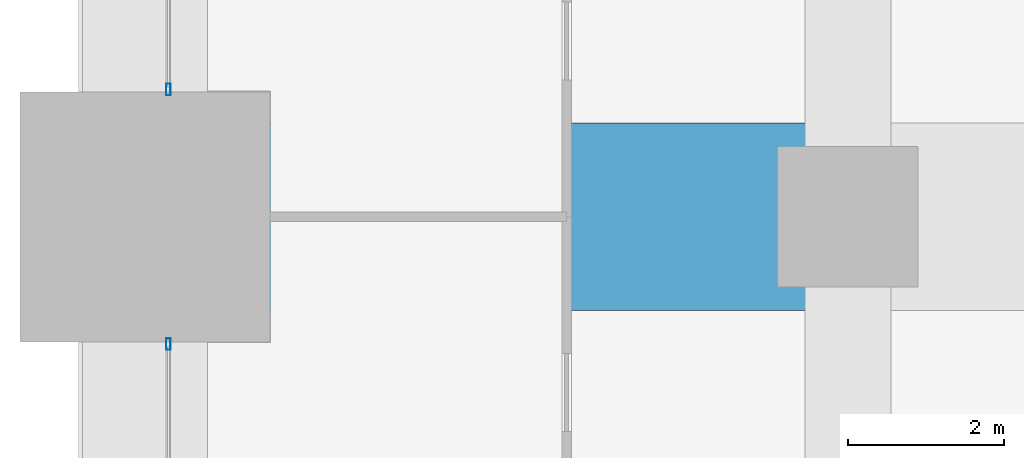
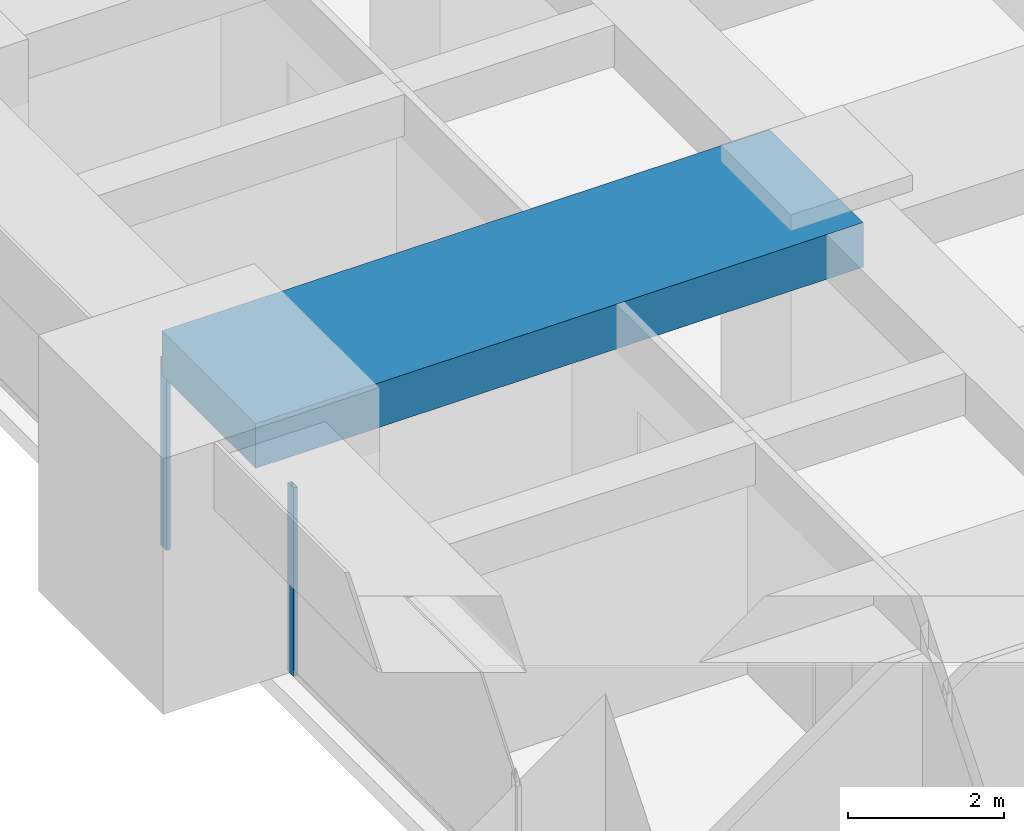
# One storey, part 12 of 36: 2 members, 1 beam, 2 elements without a shape of their own.
"""IFC4 building model written with IfcOpenShell, lengths in metres."""

from ifc_helpers import new_model, si_unit, direction, frame, origin, origin_2d, place, context, subcontext, project, spatial, rectangle, hollow_rectangle, extrude, material, material_profile, profile_set, type_object, element, aggregate, save


model = new_model("IFC4")

# Units and contexts
model_context = context("Model", 3, precision=1e-05, world=origin(), true_north=direction((0.0, 1.0)))
body_context = subcontext(model_context, "Body", "Model", "MODEL_VIEW")
ifc_project = project(units=[si_unit("LENGTHUNIT", "METRE"), si_unit("AREAUNIT", "SQUARE_METRE"), si_unit("VOLUMEUNIT", "CUBIC_METRE"), si_unit("PLANEANGLEUNIT", "RADIAN"), si_unit("MASSUNIT", "GRAM", prefix="KILO")], contexts=[model_context])

# Site, building, storey
site_placement = place(None, origin())
site = spatial("IfcSite", under=ifc_project, at=site_placement, CompositionType="ELEMENT")
building_placement = place(site_placement, origin())
building = spatial("IfcBuilding", under=site, at=building_placement, Name="Zorevar Civic Tower", CompositionType="ELEMENT")
storey_placement = place(building_placement, frame((0.0, 0.0, 166.199951171875)))
storey = spatial("IfcBuildingStorey", under=building, at=storey_placement, Name="L40", CompositionType="ELEMENT", Elevation=166.199951171875)

# Beam
ifc_material_1 = material(Name="Concrete C50/60", Category="concrete")
ifc_material_profile_1 = material_profile(ifc_material_1, rectangle(XDim=2.39990234375, YDim=0.699951171875, at=origin_2d()), Name="RC 2400x700")
ifc_profile_set_1 = profile_set([ifc_material_profile_1], Name="Concrete C50/60")
beam_type = type_object("IfcBeamType", Name="Beam RC 2400x700", PredefinedType="BEAM", material=ifc_profile_set_1)
beam_placement = place(storey_placement, frame((0.0, 27.0, 3.400146484375), z_axis=(1.0, 0.0, 0.0), x_axis=(0.0, 1.0, 0.0)))
element("IfcBeam", 1, at=beam_placement, inside=storey, type_object=beam_type, Name="Girder L41", PredefinedType="BEAM", context=body_context, shape_type="SweptSolid", body=[
    extrude(rectangle(XDim=2.39990234375, YDim=0.699951171875, at=origin_2d()), origin(), (0.0, 0.0, 1.0), 9.0),
])

# Curtain wall, member
ifc_material_2 = material(Name="Dark grey solar-control glass in black aluminium frame", Category="aluminium")
curtain_wall_type = type_object("IfcCurtainWallType", Name="Curtain wall CW4 high zone", PredefinedType="NOTDEFINED", material=ifc_material_2)
curtain_wall_1_placement = place(storey_placement, origin())
curtain_wall_1 = element("IfcCurtainWall", 2, at=curtain_wall_1_placement, inside=storey, type_object=curtain_wall_type, Name="CW4 L40", PredefinedType="NOTDEFINED")
ifc_material_3 = material(Name="Aluminium, black anodised", Category="aluminium")
ifc_material_profile_2 = material_profile(ifc_material_3, hollow_rectangle(XDim=0.06005859375, YDim=0.14990234375, WallThickness=0.00390625, at=origin_2d()), Name="AL 150x60x4")
ifc_profile_set_2 = profile_set([ifc_material_profile_2], Name="Aluminium, black anodised")
member_type = type_object("IfcMemberType", Name="CW4 mullion AL 150x60x4", PredefinedType="MULLION", material=ifc_profile_set_2)
member_1_placement = place(storey_placement, frame((0.300048828125, 25.3701171875, 0.0), z_axis=(0.0, 0.0, 1.0), x_axis=(-1.0, 0.0, 0.0)))
member_1 = element("IfcMember", 3, at=member_1_placement, type_object=member_type, Name="CW4 mullion 2", PredefinedType="MULLION", context=body_context, shape_type="SweptSolid", body=[
    extrude(hollow_rectangle(XDim=0.06005859375, YDim=0.14990234375, WallThickness=0.00390625, at=origin_2d()), origin(), (0.0, 0.0, 1.0), 2.949951171875),
])
aggregate(curtain_wall_1, [member_1])

curtain_wall_2_placement = place(storey_placement, origin())
curtain_wall_2 = element("IfcCurtainWall", 4, at=curtain_wall_2_placement, inside=storey, type_object=curtain_wall_type, Name="CW4 L40", PredefinedType="NOTDEFINED")
member_2_placement = place(storey_placement, frame((0.300048828125, 28.6298828125, 0.0), z_axis=(0.0, 0.0, 1.0), x_axis=(-1.0, 0.0, 0.0)))
member_2 = element("IfcMember", 5, at=member_2_placement, type_object=member_type, Name="CW4 mullion 1", PredefinedType="MULLION", context=body_context, shape_type="SweptSolid", body=[
    extrude(hollow_rectangle(XDim=0.06005859375, YDim=0.14990234375, WallThickness=0.00390625, at=origin_2d()), origin(), (0.0, 0.0, 1.0), 2.949951171875),
])
aggregate(curtain_wall_2, [member_2])

save(model, "model.ifc")
